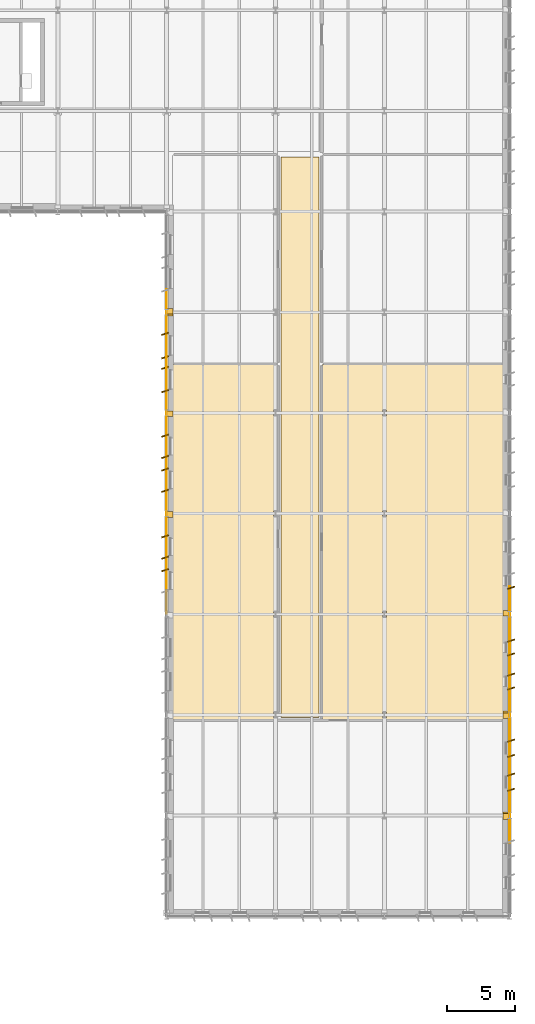
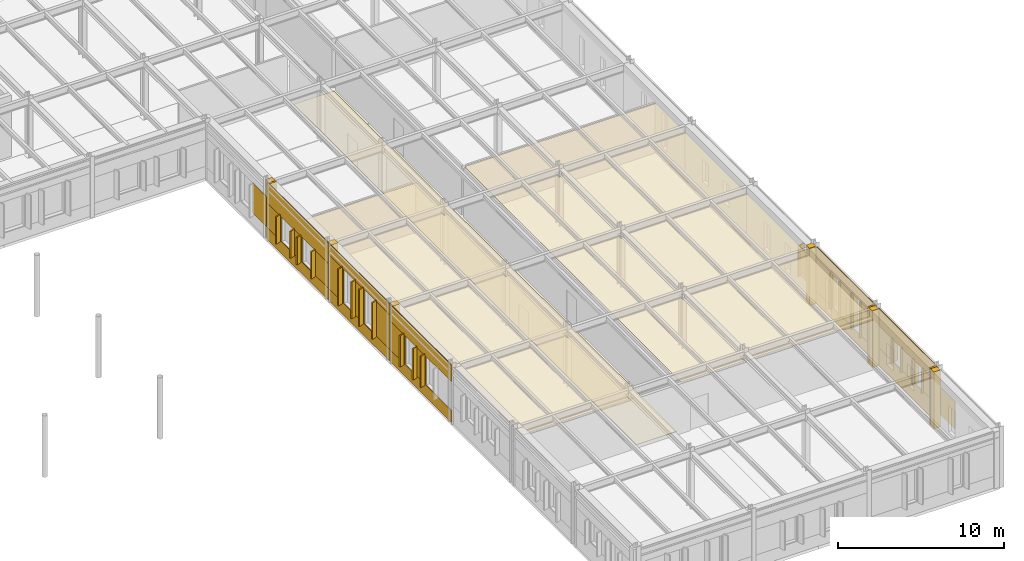
# One storey, part 72 of 75: 59 coverings.
"""IFC4 building model written with IfcOpenShell, lengths in metres."""

from ifc_helpers import new_model, si_unit, direction, frame, frame_2d, origin, origin_2d, place, context, subcontext, project, spatial, polyline, rectangle, outline, extrude, material, layer, layer_set, type_object, element, save


model = new_model("IFC4")

# Units and contexts
model_context = context("Model", 3, precision=1e-05, world=origin(), true_north=direction((0.0, 1.0)))
body_context = subcontext(model_context, "Body", "Model", "MODEL_VIEW")
ifc_project = project(units=[si_unit("LENGTHUNIT", "METRE"), si_unit("AREAUNIT", "SQUARE_METRE"), si_unit("VOLUMEUNIT", "CUBIC_METRE"), si_unit("PLANEANGLEUNIT", "RADIAN"), si_unit("MASSUNIT", "GRAM", prefix="KILO")], contexts=[model_context])

# Site, building, storey
site_placement = place(None, origin())
site = spatial("IfcSite", under=ifc_project, at=site_placement, CompositionType="ELEMENT")
building_placement = place(site_placement, origin())
building = spatial("IfcBuilding", under=site, at=building_placement, Name="Valkorina Park Police Headquarters", CompositionType="ELEMENT")
storey_placement = place(building_placement, frame((0.0, 0.0, 5.39990234375)))
storey = spatial("IfcBuildingStorey", under=building, at=storey_placement, Name="L02", CompositionType="ELEMENT", Elevation=5.39990234375)

# Coverings
ifc_material_1 = material(Name="Acoustic mineral board")
ifc_layer_1 = layer(ifc_material_1, 0.02490234375)
ifc_layer_set_1 = layer_set([ifc_layer_1], Name="Acoustic mineral board")
covering_type_1 = type_object("IfcCoveringType", Name="COV-CEILING-ACOUST", PredefinedType="CEILING", material=ifc_layer_set_1)
covering_1_placement = place(storey_placement, frame((0.0, 0.0, 3.59521484375)))
element("IfcCovering", 1, at=covering_1_placement, inside=storey, type_object=covering_type_1, Name="Wet Chemistry and Fume-Hood Laboratory Acoustic Suspended Ceiling", PredefinedType="CEILING", context=body_context, shape_type="SweptSolid", body=[
    extrude(outline(polyline([(144.95849609375, 44.6494140625), (144.959716796875, 44.6572265625), (144.9599609375, 44.6650390625), (144.9599609375, 47.8798828125), (144.959716796875, 47.8876953125), (144.95849609375, 47.8955078125), (144.95654296875, 47.9033203125), (144.953857421875, 47.91064453125), (144.95068359375, 47.917724609375), (144.946533203125, 47.92431640625), (144.94189453125, 47.930908203125), (144.9365234375, 47.9365234375), (144.930908203125, 47.94189453125), (144.92431640625, 47.946533203125), (144.917724609375, 47.95068359375), (144.91064453125, 47.953857421875), (144.9033203125, 47.95654296875), (144.8955078125, 47.95849609375), (144.8876953125, 47.959716796875), (144.8798828125, 47.9599609375), (137.320068359375, 47.9599609375), (137.312255859375, 47.959716796875), (137.304443359375, 47.95849609375), (137.296875, 47.95654296875), (137.289306640625, 47.953857421875), (137.2822265625, 47.95068359375), (137.275634765625, 47.946533203125), (137.269287109375, 47.94189453125), (137.263427734375, 47.9365234375), (137.25830078125, 47.930908203125), (137.25341796875, 47.92431640625), (137.24951171875, 47.917724609375), (137.24609375, 47.91064453125), (137.243408203125, 47.9033203125), (137.241455078125, 47.8955078125), (137.240478515625, 47.8876953125), (137.239990234375, 47.8798828125), (137.239990234375, 21.919921875), (137.240478515625, 21.912109375), (137.241455078125, 21.904296875), (137.243408203125, 21.896728515625), (137.24609375, 21.889404296875), (137.24951171875, 21.88232421875), (137.25341796875, 21.87548828125), (137.25830078125, 21.869140625), (137.263427734375, 21.86328125), (137.269287109375, 21.858154296875), (137.275634765625, 21.853515625), (137.2822265625, 21.849365234375), (137.289306640625, 21.84619140625), (137.296875, 21.843505859375), (137.304443359375, 21.841552734375), (137.312255859375, 21.84033203125), (137.320068359375, 21.840087890625), (144.8798828125, 21.840087890625), (144.8876953125, 21.84033203125), (144.8955078125, 21.841552734375), (144.9033203125, 21.843505859375), (144.91064453125, 21.84619140625), (144.917724609375, 21.849365234375), (144.92431640625, 21.853515625), (144.930908203125, 21.858154296875), (144.9365234375, 21.86328125), (144.94189453125, 21.869140625), (144.946533203125, 21.87548828125), (144.95068359375, 21.88232421875), (144.953857421875, 21.889404296875), (144.95654296875, 21.896728515625), (144.95849609375, 21.904296875), (144.959716796875, 21.912109375), (144.9599609375, 21.919921875), (144.9599609375, 21.93505859375), (144.959716796875, 21.94287109375), (144.95849609375, 21.95068359375), (144.95654296875, 21.958251953125), (144.953857421875, 21.965576171875), (144.95068359375, 21.97265625), (144.94921875, 21.97509765625), (144.64990234375, 21.97509765625), (144.64990234375, 22.425048828125), (144.94921875, 22.425048828125), (144.95068359375, 22.42724609375), (144.953857421875, 22.434326171875), (144.95654296875, 22.44189453125), (144.95849609375, 22.449462890625), (144.959716796875, 22.457275390625), (144.9599609375, 22.465087890625), (144.9599609375, 29.3349609375), (144.959716796875, 29.3427734375), (144.95849609375, 29.3505859375), (144.95654296875, 29.358154296875), (144.953857421875, 29.365478515625), (144.95068359375, 29.372802734375), (144.94921875, 29.375), (144.64990234375, 29.375), (144.64990234375, 29.824951171875), (144.94921875, 29.824951171875), (144.95068359375, 29.827392578125), (144.953857421875, 29.83447265625), (144.95654296875, 29.841796875), (144.95849609375, 29.849365234375), (144.959716796875, 29.857177734375), (144.9599609375, 29.864990234375), (144.9599609375, 36.735107421875), (144.959716796875, 36.742919921875), (144.95849609375, 36.75048828125), (144.95654296875, 36.75830078125), (144.953857421875, 36.765625), (144.95068359375, 36.772705078125), (144.94921875, 36.77490234375), (144.64990234375, 36.77490234375), (144.64990234375, 37.22509765625), (144.94921875, 37.22509765625), (144.95068359375, 37.227294921875), (144.953857421875, 37.234375), (144.95654296875, 37.24169921875), (144.95849609375, 37.24951171875), (144.959716796875, 37.257080078125), (144.9599609375, 37.264892578125), (144.9599609375, 44.135009765625), (144.959716796875, 44.142822265625), (144.95849609375, 44.150634765625), (144.95654296875, 44.158203125), (144.953857421875, 44.16552734375), (144.95068359375, 44.172607421875), (144.94921875, 44.175048828125), (144.64990234375, 44.175048828125), (144.64990234375, 44.625), (144.94921875, 44.625), (144.95068359375, 44.627197265625), (144.953857421875, 44.634521484375), (144.95654296875, 44.641845703125), (144.95849609375, 44.6494140625)])), origin(), (0.0, 0.0, 1.0), 0.02490234375),
])
covering_2_placement = place(storey_placement, frame((0.0, 0.0, 3.59521484375)))
element("IfcCovering", 2, at=covering_2_placement, inside=storey, type_object=covering_type_1, Name="Trace Fibre and Glass Examination Lab Acoustic Suspended Ceiling", PredefinedType="CEILING", context=body_context, shape_type="SweptSolid", body=[
    extrude(outline(polyline([(161.55859375, 21.904296875), (161.5595703125, 21.912109375), (161.56005859375, 21.919921875), (161.56005859375, 47.8798828125), (161.5595703125, 47.8876953125), (161.55859375, 47.8955078125), (161.556640625, 47.9033203125), (161.553955078125, 47.91064453125), (161.550537109375, 47.917724609375), (161.54638671875, 47.92431640625), (161.541748046875, 47.930908203125), (161.53662109375, 47.9365234375), (161.53076171875, 47.94189453125), (161.5244140625, 47.946533203125), (161.517578125, 47.95068359375), (161.510498046875, 47.953857421875), (161.503173828125, 47.95654296875), (161.49560546875, 47.95849609375), (161.48779296875, 47.959716796875), (161.47998046875, 47.9599609375), (148.320068359375, 47.9599609375), (148.312255859375, 47.959716796875), (148.304443359375, 47.95849609375), (148.296875, 47.95654296875), (148.289306640625, 47.953857421875), (148.2822265625, 47.95068359375), (148.275634765625, 47.946533203125), (148.269287109375, 47.94189453125), (148.263427734375, 47.9365234375), (148.25830078125, 47.930908203125), (148.25341796875, 47.92431640625), (148.24951171875, 47.917724609375), (148.24609375, 47.91064453125), (148.243408203125, 47.9033203125), (148.241455078125, 47.8955078125), (148.240478515625, 47.8876953125), (148.239990234375, 47.8798828125), (148.239990234375, 21.919921875), (148.240478515625, 21.912109375), (148.241455078125, 21.904296875), (148.243408203125, 21.896728515625), (148.24609375, 21.889404296875), (148.24951171875, 21.88232421875), (148.25341796875, 21.87548828125), (148.25830078125, 21.869140625), (148.263427734375, 21.86328125), (148.269287109375, 21.858154296875), (148.275634765625, 21.853515625), (148.2822265625, 21.849365234375), (148.289306640625, 21.84619140625), (148.296875, 21.843505859375), (148.304443359375, 21.841552734375), (148.312255859375, 21.84033203125), (148.320068359375, 21.840087890625), (161.47998046875, 21.840087890625), (161.48779296875, 21.84033203125), (161.49560546875, 21.841552734375), (161.503173828125, 21.843505859375), (161.510498046875, 21.84619140625), (161.517578125, 21.849365234375), (161.5244140625, 21.853515625), (161.53076171875, 21.858154296875), (161.53662109375, 21.86328125), (161.541748046875, 21.869140625), (161.54638671875, 21.87548828125), (161.550537109375, 21.88232421875), (161.553955078125, 21.889404296875), (161.556640625, 21.896728515625), (161.55859375, 21.904296875)]), holes=[polyline([(152.949951171875, 21.97509765625), (152.64990234375, 21.97509765625), (152.64990234375, 22.425048828125), (152.949951171875, 22.425048828125), (152.949951171875, 21.97509765625)]), polyline([(152.949951171875, 29.375), (152.64990234375, 29.375), (152.64990234375, 29.824951171875), (152.949951171875, 29.824951171875), (152.949951171875, 29.375)]), polyline([(152.949951171875, 36.77490234375), (152.64990234375, 36.77490234375), (152.64990234375, 37.22509765625), (152.949951171875, 37.22509765625), (152.949951171875, 36.77490234375)]), polyline([(152.949951171875, 44.175048828125), (152.64990234375, 44.175048828125), (152.64990234375, 44.625), (152.949951171875, 44.625), (152.949951171875, 44.175048828125)])]), origin(), (0.0, 0.0, 1.0), 0.02490234375),
])
ifc_material_2 = material(Name="Precast concrete C40/50", Category="concrete")
ifc_layer_2 = layer(ifc_material_2, 0.044921875)
ifc_layer_set_2 = layer_set([ifc_layer_2], Name="Precast concrete C40/50")
covering_type_2 = type_object("IfcCoveringType", Name="COV-CLAD-DOLOMITE", PredefinedType="CLADDING", material=ifc_layer_set_2)
covering_3_placement = place(storey_placement, frame((161.75, 29.6650390625, 0.0), z_axis=(0.0, 0.0, 1.0), x_axis=(0.0, 1.0, 0.0)))
element("IfcCovering", 3, at=covering_3_placement, inside=storey, type_object=covering_type_2, Name="L02 Exterior Joint Closure Pilaster B 1501", PredefinedType="CLADDING", context=body_context, shape_type="SweptSolid", body=[
    extrude(rectangle(XDim=0.419921875, YDim=0.449951171875, at=origin_2d()), origin(), (0.0, 0.0, 1.0), 4.199951171875),
])
covering_4_placement = place(storey_placement, frame((162.1201171875, 31.54248046875, 0.7802734375), z_axis=(0.0, 0.0, 1.0), x_axis=(0.948323655206, 0.317304656405, 0.0)))
element("IfcCovering", 4, at=covering_4_placement, inside=storey, type_object=covering_type_2, Name="Slanted 18.5-deg Precast Window Slot Fin 1505", PredefinedType="CLADDING", context=body_context, shape_type="SweptSolid", body=[
    extrude(rectangle(XDim=0.5400390625, YDim=0.090087890625, at=origin_2d()), origin(), (0.0, 0.0, 1.0), 2.239990234375),
])
covering_5_placement = place(storey_placement, frame((162.014892578125, 31.652587890625, 0.8701171875), z_axis=(0.0, 0.0, 1.0), x_axis=(0.0, -1.0, 0.0)))
element("IfcCovering", 5, at=covering_5_placement, inside=storey, type_object=covering_type_2, Name="L02 Calm Concrete Base Slot Pier 1510", PredefinedType="CLADDING", context=body_context, shape_type="SweptSolid", body=[
    extrude(rectangle(XDim=2.032470703125, YDim=0.044921875, at=frame_2d((1.01611328125, 0.0))), origin(), (0.0, 0.0, 1.0), 2.06005859375),
])
covering_6_placement = place(storey_placement, frame((161.75, 22.264892578125, 0.000244140625), z_axis=(0.0, 0.0, 1.0), x_axis=(0.0, 1.0, 0.0)))
element("IfcCovering", 6, at=covering_6_placement, inside=storey, type_object=covering_type_2, Name="L02 Exterior Joint Closure Pilaster B 1511", PredefinedType="CLADDING", context=body_context, shape_type="SweptSolid", body=[
    extrude(rectangle(XDim=0.419921875, YDim=0.449951171875, at=origin_2d()), origin(), (0.0, 0.0, 1.0), 4.169921875),
])
for number, where, z_axis, x_axis, name in (
    (7, (162.1201171875, 27.657470703125, 0.7802734375), (0.0, 0.0, 1.0), (0.948323655206, 0.317304656405, 0.0), "Slanted 18.5-deg Precast Window Slot Fin 1512"),
    (8, (162.1201171875, 26.637451171875, 0.7802734375), (0.0, 0.0, 1.0), (0.948323655206, 0.317304656405, 0.0), "Slanted 18.5-deg Precast Window Slot Fin 1513"),
    (9, (162.1201171875, 25.16259765625, 0.7802734375), (0.0, 0.0, 1.0), (0.948323655206, 0.317304656405, 0.0), "Slanted 18.5-deg Precast Window Slot Fin 1514"),
    (10, (162.1201171875, 24.142578125, 0.7802734375), (0.0, 0.0, 1.0), (0.948323655206, 0.317304656405, 0.0), "Slanted 18.5-deg Precast Window Slot Fin 1515"),
):
    element("IfcCovering", number, at=place(storey_placement, frame(where, z_axis=z_axis, x_axis=x_axis)), inside=storey, type_object=covering_type_2, Name=name, PredefinedType="CLADDING", context=body_context, shape_type="SweptSolid", body=[
        extrude(rectangle(XDim=0.5400390625, YDim=0.090087890625, at=origin_2d()), origin(), (0.0, 0.0, 1.0), 2.639892578125),
    ])
covering_7_placement = place(storey_placement, frame((162.014892578125, 29.580078125, 0.0), z_axis=(0.0, 0.0, 1.0), x_axis=(0.0, -1.0, 0.0)))
element("IfcCovering", 11, at=covering_7_placement, inside=storey, type_object=covering_type_2, Name="L02 Calm Concrete Base Sill Spandrel 1516", PredefinedType="CLADDING", context=body_context, shape_type="SweptSolid", body=[
    extrude(rectangle(XDim=7.360107421875, YDim=0.044921875, at=frame_2d((3.68017578125, 0.0))), origin(), (0.0, 0.0, 1.0), 0.8701171875),
])
covering_8_placement = place(storey_placement, frame((162.014892578125, 29.580078125, 3.330078125), z_axis=(0.0, 0.0, 1.0), x_axis=(0.0, -1.0, 0.0)))
element("IfcCovering", 12, at=covering_8_placement, inside=storey, type_object=covering_type_2, Name="L02 Calm Concrete Base Lintel Spandrel 1517", PredefinedType="CLADDING", context=body_context, shape_type="SweptSolid", body=[
    extrude(rectangle(XDim=7.360107421875, YDim=0.044921875, at=frame_2d((3.68017578125, 0.0))), origin(), (0.0, 0.0, 1.0), 0.840087890625),
])
covering_9_placement = place(storey_placement, frame((162.014892578125, 29.580078125, 0.8701171875), z_axis=(0.0, 0.0, 1.0), x_axis=(0.0, -1.0, 0.0)))
element("IfcCovering", 13, at=covering_9_placement, inside=storey, type_object=covering_type_2, Name="L02 Calm Concrete Base Slot Pier 1518", PredefinedType="CLADDING", context=body_context, shape_type="SweptSolid", body=[
    extrude(rectangle(XDim=2.03271484375, YDim=0.044921875, at=frame_2d((1.016357421875, 0.0))), origin(), (0.0, 0.0, 1.0), 2.4599609375),
])
covering_10_placement = place(storey_placement, frame((162.014892578125, 26.747314453125, 0.8701171875), z_axis=(0.0, 0.0, 1.0), x_axis=(0.0, -1.0, 0.0)))
element("IfcCovering", 14, at=covering_10_placement, inside=storey, type_object=covering_type_2, Name="L02 Calm Concrete Base Slot Pier 1519", PredefinedType="CLADDING", context=body_context, shape_type="SweptSolid", body=[
    extrude(rectangle(XDim=1.69482421875, YDim=0.044921875, at=frame_2d((0.847412109375, 0.0))), origin(), (0.0, 0.0, 1.0), 2.4599609375),
])
covering_11_placement = place(storey_placement, frame((162.014892578125, 24.252685546875, 0.8701171875), z_axis=(0.0, 0.0, 1.0), x_axis=(0.0, -1.0, 0.0)))
element("IfcCovering", 15, at=covering_11_placement, inside=storey, type_object=covering_type_2, Name="L02 Calm Concrete Base Slot Pier 1520", PredefinedType="CLADDING", context=body_context, shape_type="SweptSolid", body=[
    extrude(rectangle(XDim=2.03271484375, YDim=0.044921875, at=frame_2d((1.016357421875, 0.0))), origin(), (0.0, 0.0, 1.0), 2.4599609375),
])
for number, where, z_axis, x_axis, name in (
    (16, (161.75, 22.135009765625, 0.000244140625), (0.0, 0.0, 1.0), (0.0, 1.0, 0.0), "L02 Exterior Joint Closure Pilaster A 1521"),
    (17, (161.75, 14.864990234375, 0.000244140625), (0.0, 0.0, 1.0), (0.0, 1.0, 0.0), "L02 Exterior Joint Closure Pilaster B 1522"),
):
    element("IfcCovering", number, at=place(storey_placement, frame(where, z_axis=z_axis, x_axis=x_axis)), inside=storey, type_object=covering_type_2, Name=name, PredefinedType="CLADDING", context=body_context, shape_type="SweptSolid", body=[
        extrude(rectangle(XDim=0.419921875, YDim=0.449951171875, at=origin_2d()), origin(), (0.0, 0.0, 1.0), 4.169921875),
    ])
for number, where, z_axis, x_axis, name in (
    (18, (162.1201171875, 20.307373046875, 1.22998046875), (0.0, 0.0, 1.0), (0.948323655206, 0.317304656405, 0.0), "Slanted 18.5-deg Precast Window Slot Fin 1523"),
    (19, (162.1201171875, 19.1875, 1.22998046875), (0.0, 0.0, 1.0), (0.948323655206, 0.317304656405, 0.0), "Slanted 18.5-deg Precast Window Slot Fin 1524"),
    (20, (162.1201171875, 17.8125, 1.22998046875), (0.0, 0.0, 1.0), (0.948323655206, 0.317304656405, 0.0), "Slanted 18.5-deg Precast Window Slot Fin 1525"),
    (21, (162.1201171875, 16.692626953125, 1.22998046875), (0.0, 0.0, 1.0), (0.948323655206, 0.317304656405, 0.0), "Slanted 18.5-deg Precast Window Slot Fin 1526"),
):
    element("IfcCovering", number, at=place(storey_placement, frame(where, z_axis=z_axis, x_axis=x_axis)), inside=storey, type_object=covering_type_2, Name=name, PredefinedType="CLADDING", context=body_context, shape_type="SweptSolid", body=[
        extrude(rectangle(XDim=0.5400390625, YDim=0.090087890625, at=origin_2d()), origin(), (0.0, 0.0, 1.0), 1.7900390625),
    ])
covering_12_placement = place(storey_placement, frame((162.014892578125, 22.179931640625, 0.0), z_axis=(0.0, 0.0, 1.0), x_axis=(0.0, -1.0, 0.0)))
element("IfcCovering", 22, at=covering_12_placement, inside=storey, type_object=covering_type_2, Name="L02 Calm Concrete Base Sill Spandrel 1527", PredefinedType="CLADDING", context=body_context, shape_type="SweptSolid", body=[
    extrude(rectangle(XDim=7.35986328125, YDim=0.044921875, at=frame_2d((3.679931640625, 0.0))), origin(), (0.0, 0.0, 1.0), 1.320068359375),
])
covering_13_placement = place(storey_placement, frame((162.014892578125, 22.179931640625, 2.93017578125), z_axis=(0.0, 0.0, 1.0), x_axis=(0.0, -1.0, 0.0)))
element("IfcCovering", 23, at=covering_13_placement, inside=storey, type_object=covering_type_2, Name="L02 Calm Concrete Base Lintel Spandrel 1528", PredefinedType="CLADDING", context=body_context, shape_type="SweptSolid", body=[
    extrude(rectangle(XDim=7.35986328125, YDim=0.044921875, at=frame_2d((3.679931640625, 0.0))), origin(), (0.0, 0.0, 1.0), 1.239990234375),
])
covering_14_placement = place(storey_placement, frame((162.014892578125, 22.179931640625, 1.320068359375), z_axis=(0.0, 0.0, 1.0), x_axis=(0.0, -1.0, 0.0)))
element("IfcCovering", 24, at=covering_14_placement, inside=storey, type_object=covering_type_2, Name="L02 Calm Concrete Base Slot Pier 1529", PredefinedType="CLADDING", context=body_context, shape_type="SweptSolid", body=[
    extrude(rectangle(XDim=1.982421875, YDim=0.044921875, at=frame_2d((0.9912109375, 0.0))), origin(), (0.0, 0.0, 1.0), 1.610107421875),
])
covering_15_placement = place(storey_placement, frame((162.014892578125, 19.29736328125, 1.320068359375), z_axis=(0.0, 0.0, 1.0), x_axis=(0.0, -1.0, 0.0)))
element("IfcCovering", 25, at=covering_15_placement, inside=storey, type_object=covering_type_2, Name="L02 Calm Concrete Base Slot Pier 1530", PredefinedType="CLADDING", context=body_context, shape_type="SweptSolid", body=[
    extrude(rectangle(XDim=1.5947265625, YDim=0.044921875, at=frame_2d((0.79736328125, 0.0))), origin(), (0.0, 0.0, 1.0), 1.610107421875),
])
covering_16_placement = place(storey_placement, frame((162.014892578125, 16.802490234375, 1.320068359375), z_axis=(0.0, 0.0, 1.0), x_axis=(0.0, -1.0, 0.0)))
element("IfcCovering", 26, at=covering_16_placement, inside=storey, type_object=covering_type_2, Name="L02 Calm Concrete Base Slot Pier 1531", PredefinedType="CLADDING", context=body_context, shape_type="SweptSolid", body=[
    extrude(rectangle(XDim=1.982421875, YDim=0.044921875, at=frame_2d((0.9912109375, 0.0))), origin(), (0.0, 0.0, 1.0), 1.610107421875),
])
covering_17_placement = place(storey_placement, frame((161.75, 14.735107421875, 0.000244140625), z_axis=(0.0, 0.0, 1.0), x_axis=(0.0, 1.0, 0.0)))
element("IfcCovering", 27, at=covering_17_placement, inside=storey, type_object=covering_type_2, Name="L02 Exterior Joint Closure Pilaster A 1532", PredefinedType="CLADDING", context=body_context, shape_type="SweptSolid", body=[
    extrude(rectangle(XDim=0.419921875, YDim=0.449951171875, at=origin_2d()), origin(), (0.0, 0.0, 1.0), 4.169921875),
])
covering_18_placement = place(storey_placement, frame((162.014892578125, 14.780029296875, 0.8701171875), z_axis=(0.0, 0.0, 1.0), x_axis=(0.0, -1.0, 0.0)))
element("IfcCovering", 28, at=covering_18_placement, inside=storey, type_object=covering_type_2, Name="L02 Calm Concrete Base Slot Pier 1540", PredefinedType="CLADDING", context=body_context, shape_type="SweptSolid", body=[
    extrude(rectangle(XDim=1.982666015625, YDim=0.044921875, at=frame_2d((0.9912109375, 0.0))), origin(), (0.0, 0.0, 1.0), 2.010009765625),
])
covering_19_placement = place(storey_placement, frame((137.050048828125, 36.93505859375, 0.0), z_axis=(0.0, 0.0, 1.0), x_axis=(0.0, 1.0, 0.0)))
element("IfcCovering", 29, at=covering_19_placement, inside=storey, type_object=covering_type_2, Name="L02 Exterior Joint Closure Pilaster B 1605", PredefinedType="CLADDING", context=body_context, shape_type="SweptSolid", body=[
    extrude(rectangle(XDim=0.419921875, YDim=0.449951171875, at=origin_2d()), origin(), (0.0, 0.0, 1.0), 4.199951171875),
])
for number, where, z_axis, x_axis, name in (
    (30, (136.679931640625, 32.837646484375, 0.780029296875), (0.0, 0.0, 1.0), (-0.948323655206, -0.317304656405, 0.0), "Slanted 18.5-deg Precast Window Slot Fin 1607"),
    (31, (136.679931640625, 33.762451171875, 0.780029296875), (0.0, 0.0, 1.0), (-0.948323655206, -0.317304656405, 0.0), "Slanted 18.5-deg Precast Window Slot Fin 1608"),
    (32, (136.679931640625, 35.33251953125, 0.780029296875), (0.0, 0.0, 1.0), (-0.948323655206, -0.317304656405, 0.0), "Slanted 18.5-deg Precast Window Slot Fin 1609"),
):
    element("IfcCovering", number, at=place(storey_placement, frame(where, z_axis=z_axis, x_axis=x_axis)), inside=storey, type_object=covering_type_2, Name=name, PredefinedType="CLADDING", context=body_context, shape_type="SweptSolid", body=[
        extrude(rectangle(XDim=0.5400390625, YDim=0.090087890625, at=origin_2d()), origin(), (0.0, 0.0, 1.0), 2.2900390625),
    ])
covering_20_placement = place(storey_placement, frame((136.784912109375, 29.6201171875, 0.0), z_axis=(0.0, 0.0, 1.0), x_axis=(0.0, 1.0, 0.0)))
element("IfcCovering", 33, at=covering_20_placement, inside=storey, type_object=covering_type_2, Name="L02 Calm Concrete Base Sill Spandrel 1610", PredefinedType="CLADDING", context=body_context, shape_type="SweptSolid", body=[
    extrude(rectangle(XDim=7.35986328125, YDim=0.044921875, at=frame_2d((3.679931640625, 0.0))), origin(), (0.0, 0.0, 1.0), 0.8701171875),
])
covering_21_placement = place(storey_placement, frame((136.784912109375, 29.6201171875, 2.97998046875), z_axis=(0.0, 0.0, 1.0), x_axis=(0.0, 1.0, 0.0)))
element("IfcCovering", 34, at=covering_21_placement, inside=storey, type_object=covering_type_2, Name="L02 Calm Concrete Base Lintel Spandrel 1611", PredefinedType="CLADDING", context=body_context, shape_type="SweptSolid", body=[
    extrude(rectangle(XDim=7.35986328125, YDim=0.044921875, at=frame_2d((3.679931640625, 0.0))), origin(), (0.0, 0.0, 1.0), 1.22021484375),
])
covering_22_placement = place(storey_placement, frame((136.784912109375, 32.7275390625, 0.8701171875), z_axis=(0.0, 0.0, 1.0), x_axis=(0.0, 1.0, 0.0)))
element("IfcCovering", 35, at=covering_22_placement, inside=storey, type_object=covering_type_2, Name="L02 Calm Concrete Base Slot Pier 1613", PredefinedType="CLADDING", context=body_context, shape_type="SweptSolid", body=[
    extrude(rectangle(XDim=1.144775390625, YDim=0.044921875, at=frame_2d((0.572265625, 0.0))), origin(), (0.0, 0.0, 1.0), 2.10986328125),
])
covering_23_placement = place(storey_placement, frame((136.784912109375, 35.222412109375, 0.8701171875), z_axis=(0.0, 0.0, 1.0), x_axis=(0.0, 1.0, 0.0)))
element("IfcCovering", 36, at=covering_23_placement, inside=storey, type_object=covering_type_2, Name="L02 Calm Concrete Base Slot Pier 1614", PredefinedType="CLADDING", context=body_context, shape_type="SweptSolid", body=[
    extrude(rectangle(XDim=1.757568359375, YDim=0.044921875, at=frame_2d((0.87890625, 0.0))), origin(), (0.0, 0.0, 1.0), 2.10986328125),
])
covering_24_placement = place(storey_placement, frame((137.050048828125, 44.3349609375, 0.0), z_axis=(0.0, 0.0, 1.0), x_axis=(0.0, 1.0, 0.0)))
element("IfcCovering", 37, at=covering_24_placement, inside=storey, type_object=covering_type_2, Name="L02 Exterior Joint Closure Pilaster B 1615", PredefinedType="CLADDING", context=body_context, shape_type="SweptSolid", body=[
    extrude(rectangle(XDim=0.419921875, YDim=0.449951171875, at=origin_2d()), origin(), (0.0, 0.0, 1.0), 4.199951171875),
])
for number, where, z_axis, x_axis, name in (
    (38, (136.679931640625, 38.66748046875, 0.780029296875), (0.0, 0.0, 1.0), (-0.948323655206, -0.317304656405, 0.0), "Slanted 18.5-deg Precast Window Slot Fin 1616"),
    (39, (136.679931640625, 40.237548828125, 0.780029296875), (0.0, 0.0, 1.0), (-0.948323655206, -0.317304656405, 0.0), "Slanted 18.5-deg Precast Window Slot Fin 1617"),
    (40, (136.679931640625, 41.162353515625, 0.780029296875), (0.0, 0.0, 1.0), (-0.948323655206, -0.317304656405, 0.0), "Slanted 18.5-deg Precast Window Slot Fin 1618"),
    (41, (136.679931640625, 42.732421875, 0.780029296875), (0.0, 0.0, 1.0), (-0.948323655206, -0.317304656405, 0.0), "Slanted 18.5-deg Precast Window Slot Fin 1619"),
):
    element("IfcCovering", number, at=place(storey_placement, frame(where, z_axis=z_axis, x_axis=x_axis)), inside=storey, type_object=covering_type_2, Name=name, PredefinedType="CLADDING", context=body_context, shape_type="SweptSolid", body=[
        extrude(rectangle(XDim=0.5400390625, YDim=0.090087890625, at=origin_2d()), origin(), (0.0, 0.0, 1.0), 2.68994140625),
    ])
covering_25_placement = place(storey_placement, frame((136.784912109375, 37.02001953125, 0.0), z_axis=(0.0, 0.0, 1.0), x_axis=(0.0, 1.0, 0.0)))
element("IfcCovering", 42, at=covering_25_placement, inside=storey, type_object=covering_type_2, Name="L02 Calm Concrete Base Sill Spandrel 1620", PredefinedType="CLADDING", context=body_context, shape_type="SweptSolid", body=[
    extrude(rectangle(XDim=7.35986328125, YDim=0.044921875, at=frame_2d((3.679931640625, 0.0))), origin(), (0.0, 0.0, 1.0), 0.8701171875),
])
covering_26_placement = place(storey_placement, frame((136.784912109375, 37.02001953125, 3.380126953125), z_axis=(0.0, 0.0, 1.0), x_axis=(0.0, 1.0, 0.0)))
element("IfcCovering", 43, at=covering_26_placement, inside=storey, type_object=covering_type_2, Name="L02 Calm Concrete Base Lintel Spandrel 1621", PredefinedType="CLADDING", context=body_context, shape_type="SweptSolid", body=[
    extrude(rectangle(XDim=7.35986328125, YDim=0.044921875, at=frame_2d((3.679931640625, 0.0))), origin(), (0.0, 0.0, 1.0), 0.820068359375),
])
covering_27_placement = place(storey_placement, frame((136.784912109375, 37.02001953125, 0.8701171875), z_axis=(0.0, 0.0, 1.0), x_axis=(0.0, 1.0, 0.0)))
element("IfcCovering", 44, at=covering_27_placement, inside=storey, type_object=covering_type_2, Name="L02 Calm Concrete Base Slot Pier 1622", PredefinedType="CLADDING", context=body_context, shape_type="SweptSolid", body=[
    extrude(rectangle(XDim=1.757568359375, YDim=0.044921875, at=frame_2d((0.87890625, 0.0))), origin(), (0.0, 0.0, 1.0), 2.510009765625),
])
covering_28_placement = place(storey_placement, frame((136.784912109375, 40.127685546875, 0.8701171875), z_axis=(0.0, 0.0, 1.0), x_axis=(0.0, 1.0, 0.0)))
element("IfcCovering", 45, at=covering_28_placement, inside=storey, type_object=covering_type_2, Name="L02 Calm Concrete Base Slot Pier 1623", PredefinedType="CLADDING", context=body_context, shape_type="SweptSolid", body=[
    extrude(rectangle(XDim=1.144775390625, YDim=0.044921875, at=frame_2d((0.572265625, 0.0))), origin(), (0.0, 0.0, 1.0), 2.510009765625),
])
covering_29_placement = place(storey_placement, frame((136.784912109375, 42.622314453125, 0.8701171875), z_axis=(0.0, 0.0, 1.0), x_axis=(0.0, 1.0, 0.0)))
element("IfcCovering", 46, at=covering_29_placement, inside=storey, type_object=covering_type_2, Name="L02 Calm Concrete Base Slot Pier 1624", PredefinedType="CLADDING", context=body_context, shape_type="SweptSolid", body=[
    extrude(rectangle(XDim=1.757568359375, YDim=0.044921875, at=frame_2d((0.87890625, 0.0))), origin(), (0.0, 0.0, 1.0), 2.510009765625),
])
covering_30_placement = place(storey_placement, frame((137.050048828125, 51.735107421875, 0.0), z_axis=(0.0, 0.0, 1.0), x_axis=(0.0, 1.0, 0.0)))
element("IfcCovering", 47, at=covering_30_placement, inside=storey, type_object=covering_type_2, Name="L02 Exterior Joint Closure Pilaster B 1625", PredefinedType="CLADDING", context=body_context, shape_type="SweptSolid", body=[
    extrude(rectangle(XDim=0.419921875, YDim=0.449951171875, at=origin_2d()), origin(), (0.0, 0.0, 1.0), 4.199951171875),
])
for number, where, z_axis, x_axis, name in (
    (48, (136.679931640625, 45.99267578125, 0.7802734375), (0.0, 0.0, 1.0), (-0.948323655206, -0.317304656405, 0.0), "Slanted 18.5-deg Precast Window Slot Fin 1626"),
    (49, (136.679931640625, 47.712646484375, 0.7802734375), (0.0, 0.0, 1.0), (-0.948323655206, -0.317304656405, 0.0), "Slanted 18.5-deg Precast Window Slot Fin 1627"),
    (50, (136.679931640625, 48.4873046875, 0.7802734375), (0.0, 0.0, 1.0), (-0.948323655206, -0.317304656405, 0.0), "Slanted 18.5-deg Precast Window Slot Fin 1628"),
    (51, (136.679931640625, 50.20751953125, 0.7802734375), (0.0, 0.0, 1.0), (-0.948323655206, -0.317304656405, 0.0), "Slanted 18.5-deg Precast Window Slot Fin 1629"),
):
    element("IfcCovering", number, at=place(storey_placement, frame(where, z_axis=z_axis, x_axis=x_axis)), inside=storey, type_object=covering_type_2, Name=name, PredefinedType="CLADDING", context=body_context, shape_type="SweptSolid", body=[
        extrude(rectangle(XDim=0.5400390625, YDim=0.090087890625, at=origin_2d()), origin(), (0.0, 0.0, 1.0), 1.989990234375),
    ])
covering_31_placement = place(storey_placement, frame((136.784912109375, 44.419921875, 0.0), z_axis=(0.0, 0.0, 1.0), x_axis=(0.0, 1.0, 0.0)))
element("IfcCovering", 52, at=covering_31_placement, inside=storey, type_object=covering_type_2, Name="L02 Calm Concrete Base Sill Spandrel 1630", PredefinedType="CLADDING", context=body_context, shape_type="SweptSolid", body=[
    extrude(rectangle(XDim=7.360107421875, YDim=0.044921875, at=frame_2d((3.68017578125, 0.0))), origin(), (0.0, 0.0, 1.0), 0.8701171875),
])
covering_32_placement = place(storey_placement, frame((136.784912109375, 44.419921875, 2.68017578125), z_axis=(0.0, 0.0, 1.0), x_axis=(0.0, 1.0, 0.0)))
element("IfcCovering", 53, at=covering_32_placement, inside=storey, type_object=covering_type_2, Name="L02 Calm Concrete Base Lintel Spandrel 1631", PredefinedType="CLADDING", context=body_context, shape_type="SweptSolid", body=[
    extrude(rectangle(XDim=7.360107421875, YDim=0.044921875, at=frame_2d((3.68017578125, 0.0))), origin(), (0.0, 0.0, 1.0), 1.52001953125),
])
covering_33_placement = place(storey_placement, frame((136.784912109375, 44.419921875, 0.8701171875), z_axis=(0.0, 0.0, 1.0), x_axis=(0.0, 1.0, 0.0)))
element("IfcCovering", 54, at=covering_33_placement, inside=storey, type_object=covering_type_2, Name="L02 Calm Concrete Base Slot Pier 1632", PredefinedType="CLADDING", context=body_context, shape_type="SweptSolid", body=[
    extrude(rectangle(XDim=1.6826171875, YDim=0.044921875, at=frame_2d((0.84130859375, 0.0))), origin(), (0.0, 0.0, 1.0), 1.81005859375),
])
covering_34_placement = place(storey_placement, frame((136.784912109375, 47.6025390625, 0.8701171875), z_axis=(0.0, 0.0, 1.0), x_axis=(0.0, 1.0, 0.0)))
element("IfcCovering", 55, at=covering_34_placement, inside=storey, type_object=covering_type_2, Name="L02 Calm Concrete Base Slot Pier 1633", PredefinedType="CLADDING", context=body_context, shape_type="SweptSolid", body=[
    extrude(rectangle(XDim=0.994873046875, YDim=0.044921875, at=frame_2d((0.49755859375, 0.0))), origin(), (0.0, 0.0, 1.0), 1.81005859375),
])
covering_35_placement = place(storey_placement, frame((136.784912109375, 50.097412109375, 0.8701171875), z_axis=(0.0, 0.0, 1.0), x_axis=(0.0, 1.0, 0.0)))
element("IfcCovering", 56, at=covering_35_placement, inside=storey, type_object=covering_type_2, Name="L02 Calm Concrete Base Slot Pier 1634", PredefinedType="CLADDING", context=body_context, shape_type="SweptSolid", body=[
    extrude(rectangle(XDim=1.6826171875, YDim=0.044921875, at=frame_2d((0.84130859375, 0.0))), origin(), (0.0, 0.0, 1.0), 1.81005859375),
])
covering_36_placement = place(storey_placement, frame((137.050048828125, 51.864990234375, 0.0), z_axis=(0.0, 0.0, 1.0), x_axis=(0.0, 1.0, 0.0)))
element("IfcCovering", 57, at=covering_36_placement, inside=storey, type_object=covering_type_2, Name="L02 Exterior Joint Closure Pilaster A 1635", PredefinedType="CLADDING", context=body_context, shape_type="SweptSolid", body=[
    extrude(rectangle(XDim=0.419921875, YDim=0.449951171875, at=origin_2d()), origin(), (0.0, 0.0, 1.0), 4.199951171875),
])
covering_37_placement = place(storey_placement, frame((136.784912109375, 51.820068359375, 0.8701171875), z_axis=(0.0, 0.0, 1.0), x_axis=(0.0, 1.0, 0.0)))
element("IfcCovering", 58, at=covering_37_placement, inside=storey, type_object=covering_type_2, Name="L02 Calm Concrete Base Slot Pier 1643", PredefinedType="CLADDING", context=body_context, shape_type="SweptSolid", body=[
    extrude(rectangle(XDim=1.6826171875, YDim=0.044921875, at=frame_2d((0.84130859375, 0.0))), origin(), (0.0, 0.0, 1.0), 2.2099609375),
])
ifc_material_3 = material(Name="Resin terrazzo flooring")
ifc_layer_3 = layer(ifc_material_3, 0.030029296875)
ifc_layer_set_3 = layer_set([ifc_layer_3], Name="Resin terrazzo flooring")
covering_type_3 = type_object("IfcCoveringType", Name="COV-FLOOR-TERRAZZO", PredefinedType="FLOORING", material=ifc_layer_set_3)
covering_38_placement = place(storey_placement, origin())
element("IfcCovering", 59, at=covering_38_placement, inside=storey, type_object=covering_type_3, Name="Wet Chemistry Laboratory Corridor Terrazzo Flooring", PredefinedType="FLOORING", context=body_context, shape_type="SweptSolid", body=[
    extrude(outline(polyline([(148.0, 63.199951171875), (145.199951171875, 63.199951171875), (145.199951171875, 22.0), (148.0, 22.0), (148.0, 63.199951171875)])), origin(), (0.0, 0.0, 1.0), 0.030029296875),
])

save(model, "model.ifc")
